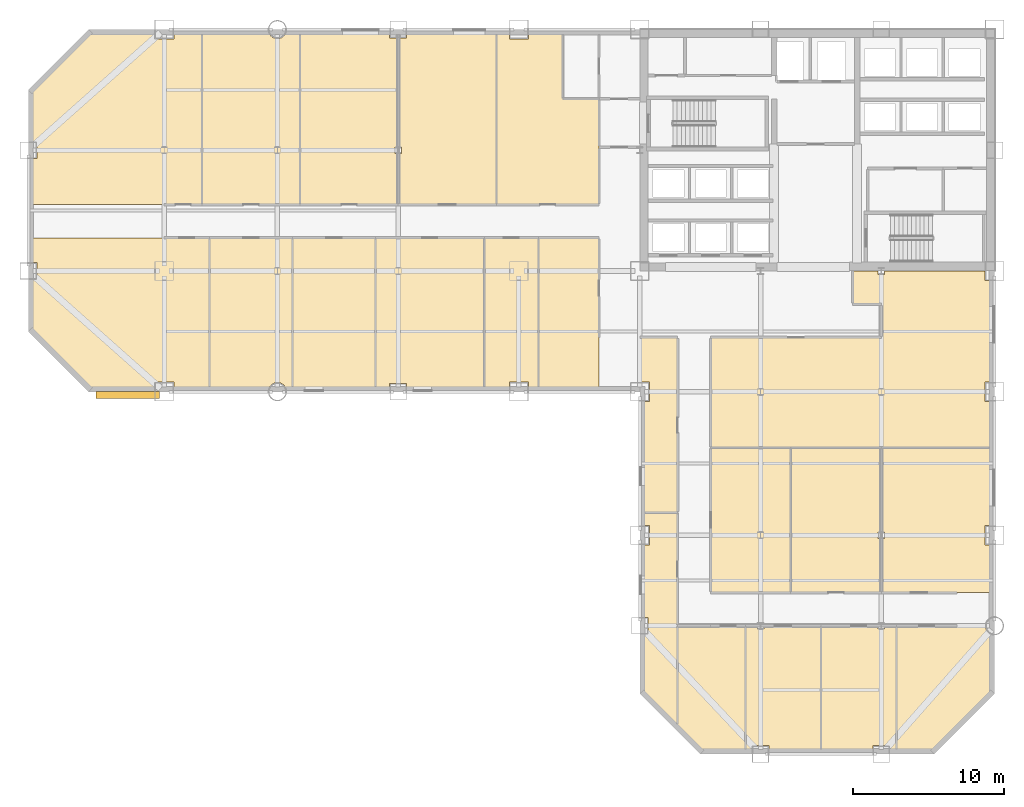
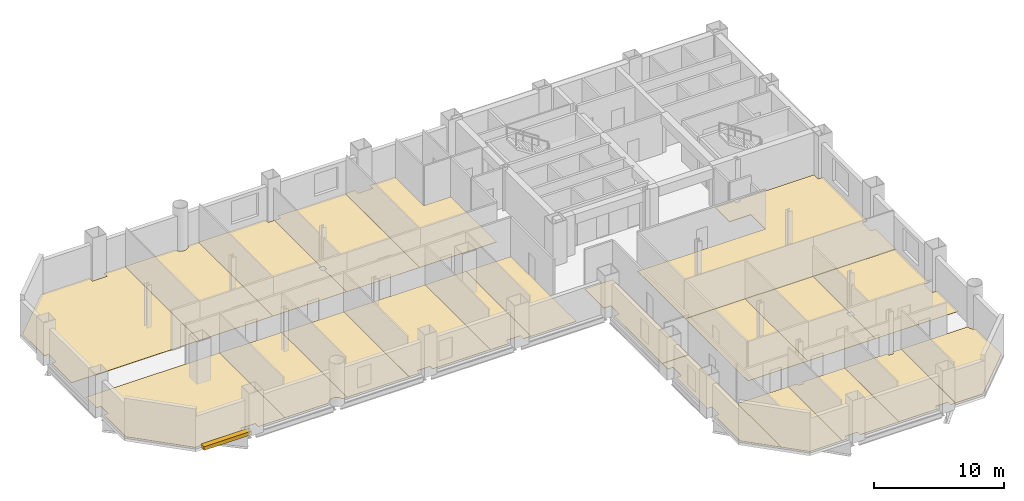
# One storey, part 8 of 9: 21 coverings, 1 shading device.
"""IFC4 building model written with IfcOpenShell, lengths in metres."""

from ifc_helpers import new_model, si_unit, direction, frame, origin, origin_2d, place, context, subcontext, project, spatial, polyline, rectangle, outline, extrude, material, layer, layer_set, type_object, element, save


model = new_model("IFC4")

# Units and contexts
model_context = context("Model", 3, precision=1e-05, world=origin(), true_north=direction((0.0, 1.0)))
body_context = subcontext(model_context, "Body", "Model", "MODEL_VIEW")
ifc_project = project(units=[si_unit("LENGTHUNIT", "METRE"), si_unit("AREAUNIT", "SQUARE_METRE"), si_unit("VOLUMEUNIT", "CUBIC_METRE"), si_unit("PLANEANGLEUNIT", "RADIAN"), si_unit("MASSUNIT", "GRAM", prefix="KILO")], contexts=[model_context])

# Site, building, storey
site_placement = place(None, origin())
site = spatial("IfcSite", under=ifc_project, at=site_placement, CompositionType="ELEMENT")
building_placement = place(site_placement, origin())
building = spatial("IfcBuilding", under=site, at=building_placement, Name="Qianrong Seaharbour Tower", CompositionType="ELEMENT")
storey_placement = place(building_placement, frame((0.0, 0.0, 96.199951171875)))
storey = spatial("IfcBuildingStorey", under=building, at=storey_placement, Name="L23", CompositionType="ELEMENT", Elevation=96.199951171875)

# Coverings
ifc_material_1 = material(Name="Acoustic modular carpet tile flooring")
ifc_layer_1 = layer(ifc_material_1, 0.02001953125)
ifc_layer_set_1 = layer_set([ifc_layer_1], Name="Acoustic modular carpet tile flooring")
covering_type_1 = type_object("IfcCoveringType", Name="COV-FLOOR-CARPET-20", PredefinedType="FLOORING", material=ifc_layer_set_1)
covering_1_placement = place(storey_placement, origin())
element("IfcCovering", 1, at=covering_1_placement, inside=storey, type_object=covering_type_1, Name="L23 Trade Meeting Room 3 Finish Flooring", PredefinedType="FLOORING", context=body_context, shape_type="SweptSolid", body=[
    extrude(outline(polyline([(63.824951171875, 24.2900390625), (63.824951171875, 19.135009765625), (63.364990234375, 19.135009765625), (63.364990234375, 17.864990234375), (63.824951171875, 17.864990234375), (63.824951171875, 14.699951171875), (56.5, 14.699951171875), (56.5, 18.27587890625), (56.71337890625, 18.27587890625), (56.71337890625, 18.72412109375), (56.5, 18.72412109375), (56.5, 24.2900390625), (63.824951171875, 24.2900390625)])), origin(), (0.0, 0.0, 1.0), 0.02001953125),
])
covering_2_placement = place(storey_placement, origin())
element("IfcCovering", 2, at=covering_2_placement, inside=storey, type_object=covering_type_1, Name="L23 Contract Meeting Room 4 Finish Flooring", PredefinedType="FLOORING", context=body_context, shape_type="SweptSolid", body=[
    extrude(outline(polyline([(24.5, 43.77587890625), (24.71337890625, 43.77587890625), (24.71337890625, 44.22412109375), (24.5, 44.22412109375), (24.5, 51.43994140625), (25.06005859375, 51.43994140625), (25.06005859375, 51.824951171875), (31.0, 51.824951171875), (31.0, 40.39990234375), (24.5, 40.39990234375), (24.5, 43.77587890625)])), origin(), (0.0, 0.0, 1.0), 0.02001953125),
])
covering_3_placement = place(storey_placement, origin())
element("IfcCovering", 3, at=covering_3_placement, inside=storey, type_object=covering_type_1, Name="L23 VIP Client Lounge 3 Finish Flooring", PredefinedType="FLOORING", context=body_context, shape_type="SweptSolid", body=[
    extrude(outline(polyline([(23.0, 28.175048828125), (17.5, 28.175048828125), (17.5, 38.199951171875), (23.0, 38.199951171875), (23.0, 28.175048828125)])), origin(), (0.0, 0.0, 1.0), 0.02001953125),
])
covering_4_placement = place(storey_placement, origin())
element("IfcCovering", 4, at=covering_4_placement, inside=storey, type_object=covering_type_1, Name="L23 VIP Client Lounge 6 Finish Flooring", PredefinedType="FLOORING", context=body_context, shape_type="SweptSolid", body=[
    extrude(outline(polyline([(37.800048828125, 28.175048828125), (33.800048828125, 28.175048828125), (33.800048828125, 38.199951171875), (37.800048828125, 38.199951171875), (37.800048828125, 28.175048828125)])), origin(), (0.0, 0.0, 1.0), 0.02001953125),
])
covering_5_placement = place(storey_placement, origin())
element("IfcCovering", 5, at=covering_5_placement, inside=storey, type_object=covering_type_1, Name="L23 Wet Pantry 1 Finish Flooring", PredefinedType="FLOORING", context=body_context, shape_type="SweptSolid", body=[
    extrude(outline(polyline([(40.675048828125, 8.072509765625), (40.675048828125, 11.93994140625), (41.06005859375, 11.93994140625), (41.06005859375, 13.06005859375), (40.675048828125, 13.06005859375), (40.675048828125, 17.864990234375), (41.135009765625, 17.864990234375), (41.135009765625, 19.135009765625), (40.675048828125, 19.135009765625), (40.675048828125, 20.0), (43.0, 20.0), (43.0, 5.74755859375), (40.675048828125, 8.072509765625)])), origin(), (0.0, 0.0, 1.0), 0.02001953125),
])
covering_6_placement = place(storey_placement, origin())
element("IfcCovering", 6, at=covering_6_placement, inside=storey, type_object=covering_type_1, Name="L23 Harbour Trade Lounge 1 Finish Flooring", PredefinedType="FLOORING", context=body_context, shape_type="SweptSolid", body=[
    extrude(outline(polyline([(47.5, 4.175048828125), (44.572509765625, 4.175048828125), (43.0, 5.74755859375), (43.0, 12.5), (47.5, 12.5), (47.5, 4.175048828125)])), origin(), (0.0, 0.0, 1.0), 0.02001953125),
])
covering_7_placement = place(storey_placement, origin())
element("IfcCovering", 7, at=covering_7_placement, inside=storey, type_object=covering_type_1, Name="L23 Contract Signing Room 2 Finish Flooring", PredefinedType="FLOORING", context=body_context, shape_type="SweptSolid", body=[
    extrude(outline(polyline([(52.5, 4.175048828125), (49.06005859375, 4.175048828125), (49.06005859375, 4.56005859375), (47.93994140625, 4.56005859375), (47.93994140625, 4.175048828125), (47.5, 4.175048828125), (47.5, 12.5), (48.28662109375, 12.5), (48.28662109375, 12.27587890625), (48.71337890625, 12.27587890625), (48.71337890625, 12.5), (52.5, 12.5), (52.5, 4.175048828125)])), origin(), (0.0, 0.0, 1.0), 0.02001953125),
])
ifc_material_2 = material(Name="Honed granite stone flooring", Category="masonry")
ifc_layer_2 = layer(ifc_material_2, 0.030029296875)
ifc_layer_set_2 = layer_set([ifc_layer_2], Name="Honed granite stone flooring")
covering_type_2 = type_object("IfcCoveringType", Name="COV-FLOOR-GRANITE-30", PredefinedType="FLOORING", material=ifc_layer_set_2)
covering_8_placement = place(storey_placement, origin())
element("IfcCovering", 8, at=covering_8_placement, inside=storey, type_object=covering_type_2, Name="L23 Chartering Model Showroom 1 Finish Flooring", PredefinedType="FLOORING", context=body_context, shape_type="SweptSolid", body=[
    extrude(outline(polyline([(50.5, 24.2900390625), (50.5, 14.699951171875), (45.199951171875, 14.699951171875), (45.199951171875, 24.2900390625), (50.5, 24.2900390625)])), origin(), (0.0, 0.0, 1.0), 0.030029296875),
])
covering_9_placement = place(storey_placement, origin())
element("IfcCovering", 9, at=covering_9_placement, inside=storey, type_object=covering_type_2, Name="L23 Port Equipment Showroom 2 Finish Flooring", PredefinedType="FLOORING", context=body_context, shape_type="SweptSolid", body=[
    extrude(outline(polyline([(56.5, 24.2900390625), (56.5, 18.72412109375), (56.28662109375, 18.72412109375), (56.28662109375, 18.27587890625), (56.5, 18.27587890625), (56.5, 14.699951171875), (50.5, 14.699951171875), (50.5, 24.2900390625), (56.5, 24.2900390625)])), origin(), (0.0, 0.0, 1.0), 0.030029296875),
])
covering_10_placement = place(storey_placement, origin())
element("IfcCovering", 10, at=covering_10_placement, inside=storey, type_object=covering_type_2, Name="L23 Vessel Model Showroom 1 Finish Flooring", PredefinedType="FLOORING", context=body_context, shape_type="SweptSolid", body=[
    extrude(outline(polyline([(0.175048828125, 43.43994140625), (0.56005859375, 43.43994140625), (0.56005859375, 44.56005859375), (0.175048828125, 44.56005859375), (0.175048828125, 47.927490234375), (4.072509765625, 51.824951171875), (8.364990234375, 51.824951171875), (8.364990234375, 51.364990234375), (9.635009765625, 51.364990234375), (9.635009765625, 51.824951171875), (11.5, 51.824951171875), (11.5, 40.39990234375), (0.175048828125, 40.39990234375), (0.175048828125, 43.43994140625)])), origin(), (0.0, 0.0, 1.0), 0.030029296875),
])
covering_11_placement = place(storey_placement, origin())
element("IfcCovering", 11, at=covering_11_placement, inside=storey, type_object=covering_type_2, Name="L23 Navigation Systems Showroom 2 Finish Flooring", PredefinedType="FLOORING", context=body_context, shape_type="SweptSolid", body=[
    extrude(outline(polyline([(11.5, 51.824951171875), (15.918701171875, 51.824951171875), (15.936279296875, 51.7666015625), (15.992919921875, 51.6611328125), (16.068603515625, 51.568603515625), (16.1611328125, 51.492919921875), (16.2666015625, 51.436279296875), (16.381103515625, 51.401611328125), (16.5, 51.389892578125), (16.618896484375, 51.401611328125), (16.7333984375, 51.436279296875), (16.8388671875, 51.492919921875), (16.931396484375, 51.568603515625), (17.007080078125, 51.6611328125), (17.063720703125, 51.7666015625), (17.081298828125, 51.824951171875), (18.0, 51.824951171875), (18.0, 40.39990234375), (11.5, 40.39990234375), (11.5, 51.824951171875)])), origin(), (0.0, 0.0, 1.0), 0.030029296875),
])
covering_12_placement = place(storey_placement, origin())
element("IfcCovering", 12, at=covering_12_placement, inside=storey, type_object=covering_type_2, Name="L23 Marine Propulsion Showroom 3 Finish Flooring", PredefinedType="FLOORING", context=body_context, shape_type="SweptSolid", body=[
    extrude(outline(polyline([(18.0, 51.824951171875), (23.93994140625, 51.824951171875), (23.93994140625, 51.43994140625), (24.5, 51.43994140625), (24.5, 44.22412109375), (24.28662109375, 44.22412109375), (24.28662109375, 43.77587890625), (24.5, 43.77587890625), (24.5, 40.39990234375), (18.0, 40.39990234375), (18.0, 51.824951171875)])), origin(), (0.0, 0.0, 1.0), 0.030029296875),
])
covering_13_placement = place(storey_placement, origin())
element("IfcCovering", 13, at=covering_13_placement, inside=storey, type_object=covering_type_2, Name="L23 Vessel Model Showroom 5 Finish Flooring", PredefinedType="FLOORING", context=body_context, shape_type="SweptSolid", body=[
    extrude(outline(polyline([(31.0, 51.824951171875), (31.864990234375, 51.824951171875), (31.864990234375, 51.364990234375), (33.135009765625, 51.364990234375), (33.135009765625, 51.824951171875), (35.39990234375, 51.824951171875), (35.39990234375, 47.39990234375), (37.800048828125, 47.39990234375), (37.800048828125, 40.39990234375), (31.0, 40.39990234375), (31.0, 51.824951171875)])), origin(), (0.0, 0.0, 1.0), 0.030029296875),
])
covering_14_placement = place(storey_placement, origin())
element("IfcCovering", 14, at=covering_14_placement, inside=storey, type_object=covering_type_2, Name="L23 Cargo Systems Showroom 1 Finish Flooring", PredefinedType="FLOORING", context=body_context, shape_type="SweptSolid", body=[
    extrude(outline(polyline([(9.635009765625, 28.175048828125), (9.635009765625, 28.635009765625), (8.364990234375, 28.635009765625), (8.364990234375, 28.175048828125), (4.072509765625, 28.175048828125), (0.175048828125, 32.072509765625), (0.175048828125, 35.43994140625), (0.56005859375, 35.43994140625), (0.56005859375, 36.56005859375), (0.175048828125, 36.56005859375), (0.175048828125, 38.199951171875), (12.0, 38.199951171875), (12.0, 28.175048828125), (9.635009765625, 28.175048828125)])), origin(), (0.0, 0.0, 1.0), 0.030029296875),
])
covering_15_placement = place(storey_placement, origin())
element("IfcCovering", 15, at=covering_15_placement, inside=storey, type_object=covering_type_2, Name="L23 Fleet Logistics Showroom 2 Finish Flooring", PredefinedType="FLOORING", context=body_context, shape_type="SweptSolid", body=[
    extrude(outline(polyline([(17.5, 28.175048828125), (17.081298828125, 28.175048828125), (17.063720703125, 28.2333984375), (17.007080078125, 28.3388671875), (16.931396484375, 28.431396484375), (16.8388671875, 28.507080078125), (16.7333984375, 28.563720703125), (16.618896484375, 28.598388671875), (16.5, 28.610107421875), (16.381103515625, 28.598388671875), (16.2666015625, 28.563720703125), (16.1611328125, 28.507080078125), (16.068603515625, 28.431396484375), (15.992919921875, 28.3388671875), (15.936279296875, 28.2333984375), (15.918701171875, 28.175048828125), (12.0, 28.175048828125), (12.0, 38.199951171875), (17.5, 38.199951171875), (17.5, 28.175048828125)])), origin(), (0.0, 0.0, 1.0), 0.030029296875),
])
covering_16_placement = place(storey_placement, origin())
element("IfcCovering", 16, at=covering_16_placement, inside=storey, type_object=covering_type_2, Name="L23 Cargo Systems Showroom 4 Finish Flooring", PredefinedType="FLOORING", context=body_context, shape_type="SweptSolid", body=[
    extrude(outline(polyline([(30.199951171875, 28.175048828125), (25.06005859375, 28.175048828125), (25.06005859375, 28.56005859375), (23.93994140625, 28.56005859375), (23.93994140625, 28.175048828125), (23.0, 28.175048828125), (23.0, 38.199951171875), (30.199951171875, 38.199951171875), (30.199951171875, 28.175048828125)])), origin(), (0.0, 0.0, 1.0), 0.030029296875),
])
covering_17_placement = place(storey_placement, origin())
element("IfcCovering", 17, at=covering_17_placement, inside=storey, type_object=covering_type_2, Name="L23 Fleet Logistics Showroom 5 Finish Flooring", PredefinedType="FLOORING", context=body_context, shape_type="SweptSolid", body=[
    extrude(outline(polyline([(33.800048828125, 28.175048828125), (33.135009765625, 28.175048828125), (33.135009765625, 28.635009765625), (31.864990234375, 28.635009765625), (31.864990234375, 28.175048828125), (30.199951171875, 28.175048828125), (30.199951171875, 38.199951171875), (33.800048828125, 38.199951171875), (33.800048828125, 28.175048828125)])), origin(), (0.0, 0.0, 1.0), 0.030029296875),
])
covering_18_placement = place(storey_placement, origin())
element("IfcCovering", 18, at=covering_18_placement, inside=storey, type_object=covering_type_2, Name="L23 Maritime Fleet Gallery 2 Finish Flooring", PredefinedType="FLOORING", context=body_context, shape_type="SweptSolid", body=[
    extrude(outline(polyline([(43.0, 20.0), (40.675048828125, 20.0), (40.675048828125, 27.364990234375), (41.135009765625, 27.364990234375), (41.135009765625, 28.635009765625), (40.5, 28.635009765625), (40.5, 31.60009765625), (43.0, 31.60009765625), (43.0, 20.0)])), origin(), (0.0, 0.0, 1.0), 0.030029296875),
])
covering_19_placement = place(storey_placement, origin())
element("IfcCovering", 19, at=covering_19_placement, inside=storey, type_object=covering_type_2, Name="L23 Marine Showcase Showroom 3 Finish Flooring", PredefinedType="FLOORING", context=body_context, shape_type="SweptSolid", body=[
    extrude(outline(polyline([(57.5, 4.175048828125), (57.06005859375, 4.175048828125), (57.06005859375, 4.56005859375), (55.93994140625, 4.56005859375), (55.93994140625, 4.175048828125), (52.5, 4.175048828125), (52.5, 12.5), (56.28662109375, 12.5), (56.28662109375, 12.27587890625), (56.71337890625, 12.27587890625), (56.71337890625, 12.5), (57.5, 12.5), (57.5, 4.175048828125)])), origin(), (0.0, 0.0, 1.0), 0.030029296875),
])
ifc_material_3 = material(Name="Calcium-sulphate raised access floor tile")
ifc_layer_3 = layer(ifc_material_3, 0.044921875)
ifc_layer_set_3 = layer_set([ifc_layer_3], Name="Calcium-sulphate raised access floor tile")
covering_type_3 = type_object("IfcCoveringType", Name="COV-FLOOR-RAISED-45", PredefinedType="FLOORING", material=ifc_layer_set_3)
covering_20_placement = place(storey_placement, origin())
element("IfcCovering", 20, at=covering_20_placement, inside=storey, type_object=covering_type_3, Name="L23 Commercial Desk Open-Plan Office Finish Flooring", PredefinedType="FLOORING", context=body_context, shape_type="SweptSolid", body=[
    extrude(outline(polyline([(56.5, 31.60009765625), (56.5, 33.800048828125), (54.60009765625, 33.800048828125), (54.60009765625, 36.0), (56.28662109375, 36.0), (56.28662109375, 35.77587890625), (56.71337890625, 35.77587890625), (56.71337890625, 36.0), (63.364990234375, 36.0), (63.364990234375, 35.364990234375), (63.824951171875, 35.364990234375), (63.824951171875, 28.635009765625), (63.364990234375, 28.635009765625), (63.364990234375, 27.364990234375), (63.824951171875, 27.364990234375), (63.824951171875, 24.2900390625), (45.199951171875, 24.2900390625), (45.199951171875, 31.60009765625), (56.5, 31.60009765625)])), origin(), (0.0, 0.0, 1.0), 0.045166015625),
])
covering_21_placement = place(storey_placement, origin())
element("IfcCovering", 21, at=covering_21_placement, inside=storey, type_object=covering_type_3, Name="L23 Brokerage Office 4 Finish Flooring", PredefinedType="FLOORING", context=body_context, shape_type="SweptSolid", body=[
    extrude(outline(polyline([(63.824951171875, 8.072509765625), (59.927490234375, 4.175048828125), (57.5, 4.175048828125), (57.5, 12.5), (63.389892578125, 12.5), (63.401611328125, 12.381103515625), (63.436279296875, 12.2666015625), (63.492919921875, 12.1611328125), (63.568603515625, 12.068603515625), (63.6611328125, 11.992919921875), (63.7666015625, 11.936279296875), (63.824951171875, 11.918701171875), (63.824951171875, 8.072509765625)])), origin(), (0.0, 0.0, 1.0), 0.045166015625),
])

# Shading device
ifc_material_4 = material(Name="White architectural precast concrete C45/55", Category="concrete")
shading_device_type = type_object("IfcShadingDeviceType", Name="SHD-SUNSHADE-WHITE-320", PredefinedType="AWNING", material=ifc_material_4)
shading_device_placement = place(storey_placement, frame((6.60009765625, 27.780029296875, -0.02001953125), z_axis=(0.0, 0.0, 1.0), x_axis=(1.0, 0.0, 0.0)))
element("IfcShadingDevice", 22, at=shading_device_placement, inside=storey, type_object=shading_device_type, Name="L23 Climbing White Precast Ribbon Canopy Fin", PredefinedType="AWNING", context=body_context, shape_type="SweptSolid", body=[
    extrude(rectangle(XDim=4.199951171875, YDim=0.4599609375, at=origin_2d()), origin(), (0.0, 0.0, 1.0), 0.340087890625),
])

save(model, "model.ifc")
